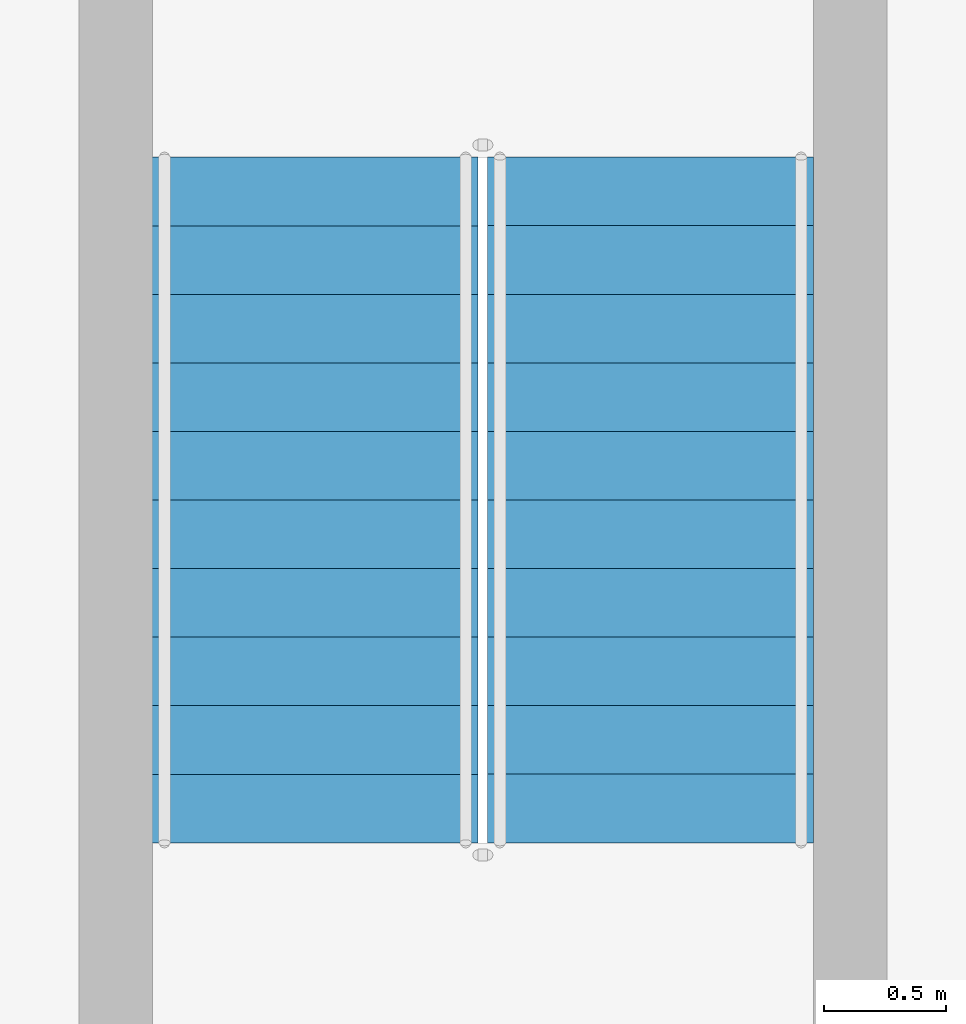
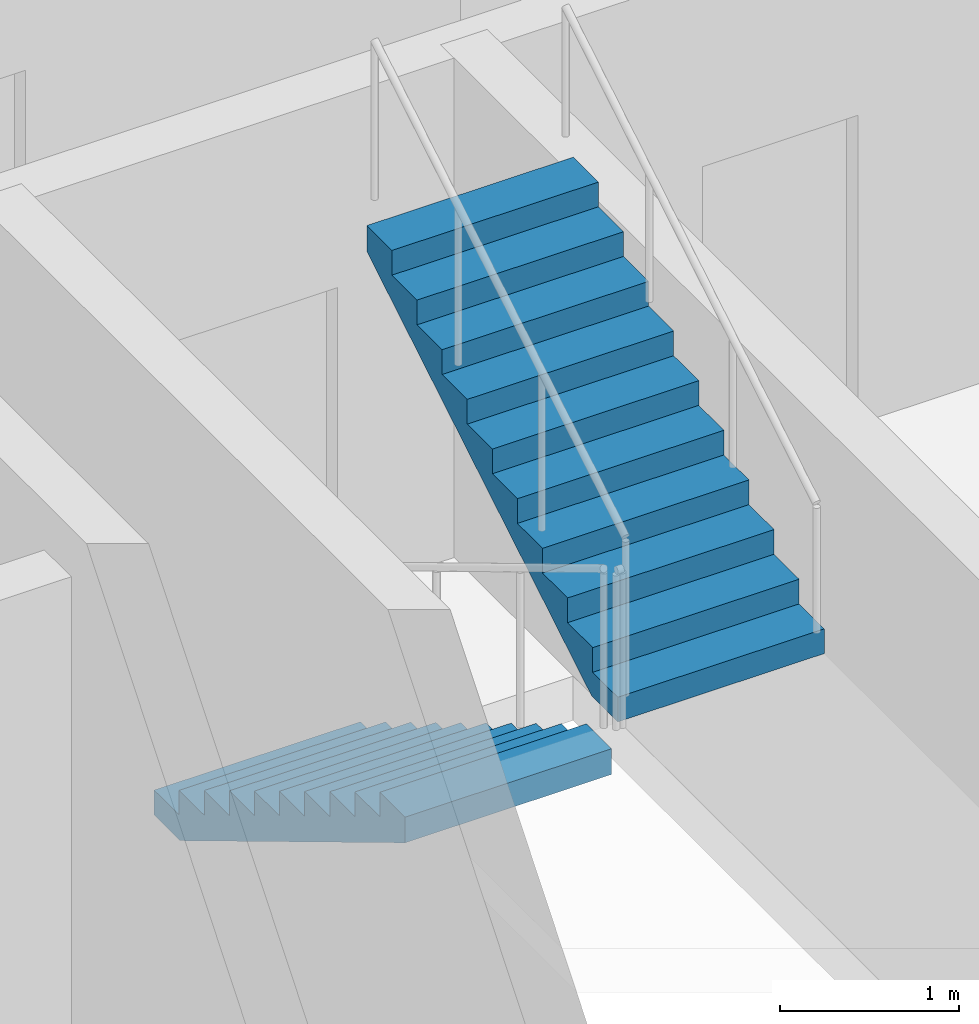
# One storey, part 15 of 22: 2 stair flights, 1 element without a shape of its own.
"""IFC4 building model written with IfcOpenShell, lengths in metres."""

from ifc_helpers import new_model, si_unit, direction, frame, origin, place, context, subcontext, project, spatial, triangles, source, transform, mapped, material, type_object, element, aggregate, save


model = new_model("IFC4")

# Units and contexts
model_context = context("Model", 3, precision=1e-05, world=origin(), true_north=direction((0.0, 1.0)))
body_context = subcontext(model_context, "Body", "Model", "MODEL_VIEW")
ifc_project = project(units=[si_unit("LENGTHUNIT", "METRE"), si_unit("AREAUNIT", "SQUARE_METRE"), si_unit("VOLUMEUNIT", "CUBIC_METRE"), si_unit("PLANEANGLEUNIT", "RADIAN"), si_unit("MASSUNIT", "GRAM", prefix="KILO")], contexts=[model_context])

# Site, building, storey
site_placement = place(None, origin())
site = spatial("IfcSite", under=ifc_project, at=site_placement, CompositionType="ELEMENT")
building_placement = place(site_placement, origin())
building = spatial("IfcBuilding", under=site, at=building_placement, Name="Ogive Portal Towers", CompositionType="ELEMENT")
storey_placement = place(building_placement, frame((0.0, 0.0, 113.0)))
storey = spatial("IfcBuildingStorey", under=building, at=storey_placement, Name="L27", CompositionType="ELEMENT", Elevation=113.0)

# Stair, stair flights
ifc_material = material(Name="Concrete C40/50", Category="concrete")
stair_type = type_object("IfcStairType", Name="INT-STAIR", PredefinedType="HALF_TURN_STAIR", material=ifc_material)
stair_placement = place(storey_placement, origin())
stair = element("IfcStair", 1, at=stair_placement, inside=storey, type_object=stair_type, Name="L27 Exit Stair ST-A4", PredefinedType="HALF_TURN_STAIR")
stair_flight_type = type_object("IfcStairFlightType", Name="INT-FLIGHT", PredefinedType="STRAIGHT", material=ifc_material)
shared_shape = source(origin(), body_context, "Body", "Tessellation", [
    triangles([(0.0, -0.6650390625, 0.0), (0.0, -0.384765625, 0.0), (0.0, -0.197021484375, 0.0), (0.0, -0.0830078125, 0.0), (0.0, -0.024658203125, 0.0), (0.0, -0.003173828125, 0.0), (0.0, 0.0, 0.0), (0.0, 0.003173828125, 0.0), (0.0, 0.024658203125, 0.0), (0.0, 0.0830078125, 0.0), (0.0, 0.197021484375, 0.0), (0.0, 0.384765625, 0.0), (0.0, 0.6650390625, 0.0), (0.0, -0.6650390625, 0.168212890625), (0.0, -0.384765625, 0.168212890625), (0.0, -0.197021484375, 0.168212890625), (0.0, -0.0830078125, 0.168212890625), (0.0, -0.024658203125, 0.168212890625), (0.0, -0.003173828125, 0.168212890625), (0.0, 0.0, 0.168212890625), (0.0, 0.003173828125, 0.168212890625), (0.0, 0.024658203125, 0.168212890625), (0.0, 0.0830078125, 0.168212890625), (0.0, 0.197021484375, 0.168212890625), (0.0, 0.384765625, 0.168212890625), (0.0, 0.6650390625, 0.168212890625), (0.280029296875, -0.6650390625, 0.168212890625), (0.280029296875, -0.384765625, 0.168212890625), (0.280029296875, -0.197021484375, 0.168212890625), (0.280029296875, -0.0830078125, 0.168212890625), (0.280029296875, -0.024658203125, 0.168212890625), (0.280029296875, -0.003173828125, 0.168212890625), (0.280029296875, 0.0, 0.168212890625), (0.280029296875, 0.003173828125, 0.168212890625), (0.280029296875, 0.024658203125, 0.168212890625), (0.280029296875, 0.0830078125, 0.168212890625), (0.280029296875, 0.197021484375, 0.168212890625), (0.280029296875, 0.384765625, 0.168212890625), (0.280029296875, 0.6650390625, 0.168212890625), (0.280029296875, -0.6650390625, 0.33642578125), (0.280029296875, -0.384765625, 0.33642578125), (0.280029296875, -0.197021484375, 0.33642578125), (0.280029296875, -0.0830078125, 0.33642578125), (0.280029296875, -0.024658203125, 0.33642578125), (0.280029296875, -0.003173828125, 0.33642578125), (0.280029296875, 0.0, 0.33642578125), (0.280029296875, 0.003173828125, 0.33642578125), (0.280029296875, 0.024658203125, 0.33642578125), (0.280029296875, 0.0830078125, 0.33642578125), (0.280029296875, 0.197021484375, 0.33642578125), (0.280029296875, 0.384765625, 0.33642578125), (0.280029296875, 0.6650390625, 0.33642578125), (0.56005859375, -0.6650390625, 0.33642578125), (0.56005859375, -0.384765625, 0.33642578125), (0.56005859375, -0.197021484375, 0.33642578125), (0.56005859375, -0.0830078125, 0.33642578125), (0.56005859375, -0.024658203125, 0.33642578125), (0.56005859375, -0.003173828125, 0.33642578125), (0.56005859375, 0.0, 0.33642578125), (0.56005859375, 0.003173828125, 0.33642578125), (0.56005859375, 0.024658203125, 0.33642578125), (0.56005859375, 0.0830078125, 0.33642578125), (0.56005859375, 0.197021484375, 0.33642578125), (0.56005859375, 0.384765625, 0.33642578125), (0.56005859375, 0.6650390625, 0.33642578125), (0.56005859375, -0.6650390625, 0.504638671875), (0.56005859375, -0.384765625, 0.504638671875), (0.56005859375, -0.197021484375, 0.504638671875), (0.56005859375, -0.0830078125, 0.504638671875), (0.56005859375, -0.024658203125, 0.504638671875), (0.56005859375, -0.003173828125, 0.504638671875), (0.56005859375, 0.0, 0.504638671875), (0.56005859375, 0.003173828125, 0.504638671875), (0.56005859375, 0.024658203125, 0.504638671875), (0.56005859375, 0.0830078125, 0.504638671875), (0.56005859375, 0.197021484375, 0.504638671875), (0.56005859375, 0.384765625, 0.504638671875), (0.56005859375, 0.6650390625, 0.504638671875), (0.840087890625, -0.6650390625, 0.504638671875), (0.840087890625, -0.384765625, 0.504638671875), (0.840087890625, -0.197021484375, 0.504638671875), (0.840087890625, -0.0830078125, 0.504638671875), (0.840087890625, -0.024658203125, 0.504638671875), (0.840087890625, -0.003173828125, 0.504638671875), (0.840087890625, 0.0, 0.504638671875), (0.840087890625, 0.003173828125, 0.504638671875), (0.840087890625, 0.024658203125, 0.504638671875), (0.840087890625, 0.0830078125, 0.504638671875), (0.840087890625, 0.197021484375, 0.504638671875), (0.840087890625, 0.384765625, 0.504638671875), (0.840087890625, 0.6650390625, 0.504638671875), (0.840087890625, -0.6650390625, 0.672607421875), (0.840087890625, -0.384765625, 0.672607421875), (0.840087890625, -0.197021484375, 0.672607421875), (0.840087890625, -0.0830078125, 0.672607421875), (0.840087890625, -0.024658203125, 0.672607421875), (0.840087890625, -0.003173828125, 0.672607421875), (0.840087890625, 0.0, 0.672607421875), (0.840087890625, 0.003173828125, 0.672607421875), (0.840087890625, 0.024658203125, 0.672607421875), (0.840087890625, 0.0830078125, 0.672607421875), (0.840087890625, 0.197021484375, 0.672607421875), (0.840087890625, 0.384765625, 0.672607421875), (0.840087890625, 0.6650390625, 0.672607421875), (1.1201171875, -0.6650390625, 0.672607421875), (1.1201171875, -0.384765625, 0.672607421875), (1.1201171875, -0.197021484375, 0.672607421875), (1.1201171875, -0.0830078125, 0.672607421875), (1.1201171875, -0.024658203125, 0.672607421875), (1.1201171875, -0.003173828125, 0.672607421875), (1.1201171875, 0.0, 0.672607421875), (1.1201171875, 0.003173828125, 0.672607421875), (1.1201171875, 0.024658203125, 0.672607421875), (1.1201171875, 0.0830078125, 0.672607421875), (1.1201171875, 0.197021484375, 0.672607421875), (1.1201171875, 0.384765625, 0.672607421875), (1.1201171875, 0.6650390625, 0.672607421875), (1.1201171875, -0.6650390625, 0.8408203125), (1.1201171875, -0.384765625, 0.8408203125), (1.1201171875, -0.197021484375, 0.8408203125), (1.1201171875, -0.0830078125, 0.8408203125), (1.1201171875, -0.024658203125, 0.8408203125), (1.1201171875, -0.003173828125, 0.8408203125), (1.1201171875, 0.0, 0.8408203125), (1.1201171875, 0.003173828125, 0.8408203125), (1.1201171875, 0.024658203125, 0.8408203125), (1.1201171875, 0.0830078125, 0.8408203125), (1.1201171875, 0.197021484375, 0.8408203125), (1.1201171875, 0.384765625, 0.8408203125), (1.1201171875, 0.6650390625, 0.8408203125), (1.39990234375, -0.6650390625, 0.8408203125), (1.39990234375, -0.384765625, 0.8408203125), (1.39990234375, -0.197021484375, 0.8408203125), (1.39990234375, -0.0830078125, 0.8408203125), (1.39990234375, -0.024658203125, 0.8408203125), (1.39990234375, -0.003173828125, 0.8408203125), (1.39990234375, 0.0, 0.8408203125), (1.39990234375, 0.003173828125, 0.8408203125), (1.39990234375, 0.024658203125, 0.8408203125), (1.39990234375, 0.0830078125, 0.8408203125), (1.39990234375, 0.197021484375, 0.8408203125), (1.39990234375, 0.384765625, 0.8408203125), (1.39990234375, 0.6650390625, 0.8408203125), (1.39990234375, -0.6650390625, 1.009033203125), (1.39990234375, -0.384765625, 1.009033203125), (1.39990234375, -0.197021484375, 1.009033203125), (1.39990234375, -0.0830078125, 1.009033203125), (1.39990234375, -0.024658203125, 1.009033203125), (1.39990234375, -0.003173828125, 1.009033203125), (1.39990234375, 0.0, 1.009033203125), (1.39990234375, 0.003173828125, 1.009033203125), (1.39990234375, 0.024658203125, 1.009033203125), (1.39990234375, 0.0830078125, 1.009033203125), (1.39990234375, 0.197021484375, 1.009033203125), (1.39990234375, 0.384765625, 1.009033203125), (1.39990234375, 0.6650390625, 1.009033203125), (1.679931640625, -0.6650390625, 1.009033203125), (1.679931640625, -0.384765625, 1.009033203125), (1.679931640625, -0.197021484375, 1.009033203125), (1.679931640625, -0.0830078125, 1.009033203125), (1.679931640625, -0.024658203125, 1.009033203125), (1.679931640625, -0.003173828125, 1.009033203125), (1.679931640625, 0.0, 1.009033203125), (1.679931640625, 0.003173828125, 1.009033203125), (1.679931640625, 0.024658203125, 1.009033203125), (1.679931640625, 0.0830078125, 1.009033203125), (1.679931640625, 0.197021484375, 1.009033203125), (1.679931640625, 0.384765625, 1.009033203125), (1.679931640625, 0.6650390625, 1.009033203125), (1.679931640625, -0.6650390625, 1.17724609375), (1.679931640625, -0.384765625, 1.17724609375), (1.679931640625, -0.197021484375, 1.17724609375), (1.679931640625, -0.0830078125, 1.17724609375), (1.679931640625, -0.024658203125, 1.17724609375), (1.679931640625, -0.003173828125, 1.17724609375), (1.679931640625, 0.0, 1.17724609375), (1.679931640625, 0.003173828125, 1.17724609375), (1.679931640625, 0.024658203125, 1.17724609375), (1.679931640625, 0.0830078125, 1.17724609375), (1.679931640625, 0.197021484375, 1.17724609375), (1.679931640625, 0.384765625, 1.17724609375), (1.679931640625, 0.6650390625, 1.17724609375), (1.9599609375, -0.6650390625, 1.17724609375), (1.9599609375, -0.384765625, 1.17724609375), (1.9599609375, -0.197021484375, 1.17724609375), (1.9599609375, -0.0830078125, 1.17724609375), (1.9599609375, -0.024658203125, 1.17724609375), (1.9599609375, -0.003173828125, 1.17724609375), (1.9599609375, 0.0, 1.17724609375), (1.9599609375, 0.003173828125, 1.17724609375), (1.9599609375, 0.024658203125, 1.17724609375), (1.9599609375, 0.0830078125, 1.17724609375), (1.9599609375, 0.197021484375, 1.17724609375), (1.9599609375, 0.384765625, 1.17724609375), (1.9599609375, 0.6650390625, 1.17724609375), (1.9599609375, -0.6650390625, 1.345458984375), (1.9599609375, -0.384765625, 1.345458984375), (1.9599609375, -0.197021484375, 1.345458984375), (1.9599609375, -0.0830078125, 1.345458984375), (1.9599609375, -0.024658203125, 1.345458984375), (1.9599609375, -0.003173828125, 1.345458984375), (1.9599609375, 0.0, 1.345458984375), (1.9599609375, 0.003173828125, 1.345458984375), (1.9599609375, 0.024658203125, 1.345458984375), (1.9599609375, 0.0830078125, 1.345458984375), (1.9599609375, 0.197021484375, 1.345458984375), (1.9599609375, 0.384765625, 1.345458984375), (1.9599609375, 0.6650390625, 1.345458984375), (2.239990234375, -0.6650390625, 1.345458984375), (2.239990234375, -0.384765625, 1.345458984375), (2.239990234375, -0.197021484375, 1.345458984375), (2.239990234375, -0.0830078125, 1.345458984375), (2.239990234375, -0.024658203125, 1.345458984375), (2.239990234375, -0.003173828125, 1.345458984375), (2.239990234375, 0.0, 1.345458984375), (2.239990234375, 0.003173828125, 1.345458984375), (2.239990234375, 0.024658203125, 1.345458984375), (2.239990234375, 0.0830078125, 1.345458984375), (2.239990234375, 0.197021484375, 1.345458984375), (2.239990234375, 0.384765625, 1.345458984375), (2.239990234375, 0.6650390625, 1.345458984375), (2.239990234375, -0.6650390625, 1.513671875), (2.239990234375, -0.384765625, 1.513671875), (2.239990234375, -0.197021484375, 1.513671875), (2.239990234375, -0.0830078125, 1.513671875), (2.239990234375, -0.024658203125, 1.513671875), (2.239990234375, -0.003173828125, 1.513671875), (2.239990234375, 0.0, 1.513671875), (2.239990234375, 0.003173828125, 1.513671875), (2.239990234375, 0.024658203125, 1.513671875), (2.239990234375, 0.0830078125, 1.513671875), (2.239990234375, 0.197021484375, 1.513671875), (2.239990234375, 0.384765625, 1.513671875), (2.239990234375, 0.6650390625, 1.513671875), (2.52001953125, -0.6650390625, 1.513671875), (2.52001953125, -0.384765625, 1.513671875), (2.52001953125, -0.197021484375, 1.513671875), (2.52001953125, -0.0830078125, 1.513671875), (2.52001953125, -0.024658203125, 1.513671875), (2.52001953125, -0.003173828125, 1.513671875), (2.52001953125, 0.0, 1.513671875), (2.52001953125, 0.003173828125, 1.513671875), (2.52001953125, 0.024658203125, 1.513671875), (2.52001953125, 0.0830078125, 1.513671875), (2.52001953125, 0.197021484375, 1.513671875), (2.52001953125, 0.384765625, 1.513671875), (2.52001953125, 0.6650390625, 1.513671875), (2.52001953125, -0.6650390625, 1.681884765625), (2.52001953125, -0.384765625, 1.681884765625), (2.52001953125, -0.197021484375, 1.681884765625), (2.52001953125, -0.0830078125, 1.681884765625), (2.52001953125, -0.024658203125, 1.681884765625), (2.52001953125, -0.003173828125, 1.681884765625), (2.52001953125, 0.0, 1.681884765625), (2.52001953125, 0.003173828125, 1.681884765625), (2.52001953125, 0.024658203125, 1.681884765625), (2.52001953125, 0.0830078125, 1.681884765625), (2.52001953125, 0.197021484375, 1.681884765625), (2.52001953125, 0.384765625, 1.681884765625), (2.52001953125, 0.6650390625, 1.681884765625), (2.800048828125, -0.6650390625, 1.681884765625), (2.800048828125, -0.384765625, 1.681884765625), (2.800048828125, -0.197021484375, 1.681884765625), (2.800048828125, -0.0830078125, 1.681884765625), (2.800048828125, -0.024658203125, 1.681884765625), (2.800048828125, -0.003173828125, 1.681884765625), (2.800048828125, 0.0, 1.681884765625), (2.800048828125, 0.003173828125, 1.681884765625), (2.800048828125, 0.024658203125, 1.681884765625), (2.800048828125, 0.0830078125, 1.681884765625), (2.800048828125, 0.197021484375, 1.681884765625), (2.800048828125, 0.384765625, 1.681884765625), (2.800048828125, 0.6650390625, 1.681884765625), (2.800048828125, -0.6650390625, 1.5068359375), (2.800048828125, -0.384765625, 1.5068359375), (2.800048828125, -0.197021484375, 1.5068359375), (2.800048828125, -0.0830078125, 1.5068359375), (2.800048828125, -0.024658203125, 1.5068359375), (2.800048828125, -0.003173828125, 1.5068359375), (2.800048828125, 0.0, 1.5068359375), (2.800048828125, 0.003173828125, 1.5068359375), (2.800048828125, 0.024658203125, 1.5068359375), (2.800048828125, 0.0830078125, 1.5068359375), (2.800048828125, 0.197021484375, 1.5068359375), (2.800048828125, 0.384765625, 1.5068359375), (2.800048828125, 0.6650390625, 1.5068359375), (0.291015625, -0.6650390625, 0.0), (0.291015625, -0.384765625, 0.0), (0.291015625, -0.197021484375, 0.0), (0.291015625, -0.0830078125, 0.0), (0.291015625, -0.024658203125, 0.0), (0.291015625, -0.003173828125, 0.0), (0.291015625, 0.0, 0.0), (0.291015625, 0.003173828125, 0.0), (0.291015625, 0.024658203125, 0.0), (0.291015625, 0.0830078125, 0.0), (0.291015625, 0.197021484375, 0.0), (0.291015625, 0.384765625, 0.0), (0.291015625, 0.6650390625, 0.0)], [[1, 14, 15], [1, 15, 2], [2, 15, 16], [2, 16, 3], [3, 16, 17], [3, 17, 4], [4, 17, 18], [4, 18, 5], [5, 18, 19], [5, 19, 6], [6, 19, 20], [6, 20, 7], [7, 20, 21], [7, 21, 8], [8, 21, 22], [8, 22, 9], [9, 22, 23], [9, 23, 10], [10, 23, 24], [10, 24, 11], [11, 24, 25], [11, 25, 12], [12, 25, 26], [12, 26, 13], [14, 27, 28], [14, 28, 15], [15, 28, 29], [15, 29, 16], [16, 29, 30], [16, 30, 17], [17, 30, 31], [17, 31, 18], [18, 31, 32], [18, 32, 19], [19, 32, 33], [19, 33, 20], [20, 33, 34], [20, 34, 21], [21, 34, 35], [21, 35, 22], [22, 35, 36], [22, 36, 23], [23, 36, 37], [23, 37, 24], [24, 37, 38], [24, 38, 25], [25, 38, 39], [25, 39, 26], [27, 40, 41], [27, 41, 28], [28, 41, 42], [28, 42, 29], [29, 42, 43], [29, 43, 30], [30, 43, 44], [30, 44, 31], [31, 44, 45], [31, 45, 32], [32, 45, 46], [32, 46, 33], [33, 46, 47], [33, 47, 34], [34, 47, 48], [34, 48, 35], [35, 48, 49], [35, 49, 36], [36, 49, 50], [36, 50, 37], [37, 50, 51], [37, 51, 38], [38, 51, 52], [38, 52, 39], [40, 53, 54], [40, 54, 41], [41, 54, 55], [41, 55, 42], [42, 55, 56], [42, 56, 43], [43, 56, 57], [43, 57, 44], [44, 57, 58], [44, 58, 45], [45, 58, 59], [45, 59, 46], [46, 59, 60], [46, 60, 47], [47, 60, 61], [47, 61, 48], [48, 61, 62], [48, 62, 49], [49, 62, 63], [49, 63, 50], [50, 63, 64], [50, 64, 51], [51, 64, 65], [51, 65, 52], [53, 66, 67], [53, 67, 54], [54, 67, 68], [54, 68, 55], [55, 68, 69], [55, 69, 56], [56, 69, 70], [56, 70, 57], [57, 70, 71], [57, 71, 58], [58, 71, 72], [58, 72, 59], [59, 72, 73], [59, 73, 60], [60, 73, 74], [60, 74, 61], [61, 74, 75], [61, 75, 62], [62, 75, 76], [62, 76, 63], [63, 76, 77], [63, 77, 64], [64, 77, 78], [64, 78, 65], [66, 79, 80], [66, 80, 67], [67, 80, 81], [67, 81, 68], [68, 81, 82], [68, 82, 69], [69, 82, 83], [69, 83, 70], [70, 83, 84], [70, 84, 71], [71, 84, 85], [71, 85, 72], [72, 85, 86], [72, 86, 73], [73, 86, 87], [73, 87, 74], [74, 87, 88], [74, 88, 75], [75, 88, 89], [75, 89, 76], [76, 89, 90], [76, 90, 77], [77, 90, 91], [77, 91, 78], [79, 92, 93], [79, 93, 80], [80, 93, 94], [80, 94, 81], [81, 94, 95], [81, 95, 82], [82, 95, 96], [82, 96, 83], [83, 96, 97], [83, 97, 84], [84, 97, 98], [84, 98, 85], [85, 98, 99], [85, 99, 86], [86, 99, 100], [86, 100, 87], [87, 100, 101], [87, 101, 88], [88, 101, 102], [88, 102, 89], [89, 102, 103], [89, 103, 90], [90, 103, 104], [90, 104, 91], [92, 105, 106], [92, 106, 93], [93, 106, 107], [93, 107, 94], [94, 107, 108], [94, 108, 95], [95, 108, 109], [95, 109, 96], [96, 109, 110], [96, 110, 97], [97, 110, 111], [97, 111, 98], [98, 111, 112], [98, 112, 99], [99, 112, 113], [99, 113, 100], [100, 113, 114], [100, 114, 101], [101, 114, 115], [101, 115, 102], [102, 115, 116], [102, 116, 103], [103, 116, 117], [103, 117, 104], [105, 118, 119], [105, 119, 106], [106, 119, 120], [106, 120, 107], [107, 120, 121], [107, 121, 108], [108, 121, 122], [108, 122, 109], [109, 122, 123], [109, 123, 110], [110, 123, 124], [110, 124, 111], [111, 124, 125], [111, 125, 112], [112, 125, 126], [112, 126, 113], [113, 126, 127], [113, 127, 114], [114, 127, 128], [114, 128, 115], [115, 128, 129], [115, 129, 116], [116, 129, 130], [116, 130, 117], [118, 131, 132], [118, 132, 119], [119, 132, 133], [119, 133, 120], [120, 133, 134], [120, 134, 121], [121, 134, 135], [121, 135, 122], [122, 135, 136], [122, 136, 123], [123, 136, 137], [123, 137, 124], [124, 137, 138], [124, 138, 125], [125, 138, 139], [125, 139, 126], [126, 139, 140], [126, 140, 127], [127, 140, 141], [127, 141, 128], [128, 141, 142], [128, 142, 129], [129, 142, 143], [129, 143, 130], [131, 144, 145], [131, 145, 132], [132, 145, 146], [132, 146, 133], [133, 146, 147], [133, 147, 134], [134, 147, 148], [134, 148, 135], [135, 148, 149], [135, 149, 136], [136, 149, 150], [136, 150, 137], [137, 150, 151], [137, 151, 138], [138, 151, 152], [138, 152, 139], [139, 152, 153], [139, 153, 140], [140, 153, 154], [140, 154, 141], [141, 154, 155], [141, 155, 142], [142, 155, 156], [142, 156, 143], [144, 157, 158], [144, 158, 145], [145, 158, 159], [145, 159, 146], [146, 159, 160], [146, 160, 147], [147, 160, 161], [147, 161, 148], [148, 161, 162], [148, 162, 149], [149, 162, 163], [149, 163, 150], [150, 163, 164], [150, 164, 151], [151, 164, 165], [151, 165, 152], [152, 165, 166], [152, 166, 153], [153, 166, 167], [153, 167, 154], [154, 167, 168], [154, 168, 155], [155, 168, 169], [155, 169, 156], [157, 170, 171], [157, 171, 158], [158, 171, 172], [158, 172, 159], [159, 172, 173], [159, 173, 160], [160, 173, 174], [160, 174, 161], [161, 174, 175], [161, 175, 162], [162, 175, 176], [162, 176, 163], [163, 176, 177], [163, 177, 164], [164, 177, 178], [164, 178, 165], [165, 178, 179], [165, 179, 166], [166, 179, 180], [166, 180, 167], [167, 180, 181], [167, 181, 168], [168, 181, 182], [168, 182, 169], [170, 183, 184], [170, 184, 171], [171, 184, 185], [171, 185, 172], [172, 185, 186], [172, 186, 173], [173, 186, 187], [173, 187, 174], [174, 187, 188], [174, 188, 175], [175, 188, 189], [175, 189, 176], [176, 189, 190], [176, 190, 177], [177, 190, 191], [177, 191, 178], [178, 191, 192], [178, 192, 179], [179, 192, 193], [179, 193, 180], [180, 193, 194], [180, 194, 181], [181, 194, 195], [181, 195, 182], [183, 196, 197], [183, 197, 184], [184, 197, 198], [184, 198, 185], [185, 198, 199], [185, 199, 186], [186, 199, 200], [186, 200, 187], [187, 200, 201], [187, 201, 188], [188, 201, 202], [188, 202, 189], [189, 202, 203], [189, 203, 190], [190, 203, 204], [190, 204, 191], [191, 204, 205], [191, 205, 192], [192, 205, 206], [192, 206, 193], [193, 206, 207], [193, 207, 194], [194, 207, 208], [194, 208, 195], [196, 209, 210], [196, 210, 197], [197, 210, 211], [197, 211, 198], [198, 211, 212], [198, 212, 199], [199, 212, 213], [199, 213, 200], [200, 213, 214], [200, 214, 201], [201, 214, 215], [201, 215, 202], [202, 215, 216], [202, 216, 203], [203, 216, 217], [203, 217, 204], [204, 217, 218], [204, 218, 205], [205, 218, 219], [205, 219, 206], [206, 219, 220], [206, 220, 207], [207, 220, 221], [207, 221, 208], [209, 222, 223], [209, 223, 210], [210, 223, 224], [210, 224, 211], [211, 224, 225], [211, 225, 212], [212, 225, 226], [212, 226, 213], [213, 226, 227], [213, 227, 214], [214, 227, 228], [214, 228, 215], [215, 228, 229], [215, 229, 216], [216, 229, 230], [216, 230, 217], [217, 230, 231], [217, 231, 218], [218, 231, 232], [218, 232, 219], [219, 232, 233], [219, 233, 220], [220, 233, 234], [220, 234, 221], [222, 235, 236], [222, 236, 223], [223, 236, 237], [223, 237, 224], [224, 237, 238], [224, 238, 225], [225, 238, 239], [225, 239, 226], [226, 239, 240], [226, 240, 227], [227, 240, 241], [227, 241, 228], [228, 241, 242], [228, 242, 229], [229, 242, 243], [229, 243, 230], [230, 243, 244], [230, 244, 231], [231, 244, 245], [231, 245, 232], [232, 245, 246], [232, 246, 233], [233, 246, 247], [233, 247, 234], [235, 248, 249], [235, 249, 236], [236, 249, 250], [236, 250, 237], [237, 250, 251], [237, 251, 238], [238, 251, 252], [238, 252, 239], [239, 252, 253], [239, 253, 240], [240, 253, 254], [240, 254, 241], [241, 254, 255], [241, 255, 242], [242, 255, 256], [242, 256, 243], [243, 256, 257], [243, 257, 244], [244, 257, 258], [244, 258, 245], [245, 258, 259], [245, 259, 246], [246, 259, 260], [246, 260, 247], [248, 261, 262], [248, 262, 249], [249, 262, 263], [249, 263, 250], [250, 263, 264], [250, 264, 251], [251, 264, 265], [251, 265, 252], [252, 265, 266], [252, 266, 253], [253, 266, 267], [253, 267, 254], [254, 267, 268], [254, 268, 255], [255, 268, 269], [255, 269, 256], [256, 269, 270], [256, 270, 257], [257, 270, 271], [257, 271, 258], [258, 271, 272], [258, 272, 259], [259, 272, 273], [259, 273, 260], [261, 274, 275], [261, 275, 262], [262, 275, 276], [262, 276, 263], [263, 276, 277], [263, 277, 264], [264, 277, 278], [264, 278, 265], [265, 278, 279], [265, 279, 266], [266, 279, 280], [266, 280, 267], [267, 280, 281], [267, 281, 268], [268, 281, 282], [268, 282, 269], [269, 282, 283], [269, 283, 270], [270, 283, 284], [270, 284, 271], [271, 284, 285], [271, 285, 272], [272, 285, 286], [272, 286, 273], [274, 287, 288], [274, 288, 275], [275, 288, 289], [275, 289, 276], [276, 289, 290], [276, 290, 277], [277, 290, 291], [277, 291, 278], [278, 291, 292], [278, 292, 279], [279, 292, 293], [279, 293, 280], [280, 293, 294], [280, 294, 281], [281, 294, 295], [281, 295, 282], [282, 295, 296], [282, 296, 283], [283, 296, 297], [283, 297, 284], [284, 297, 298], [284, 298, 285], [285, 298, 299], [285, 299, 286], [287, 1, 2], [287, 2, 288], [288, 2, 3], [288, 3, 289], [289, 3, 4], [289, 4, 290], [290, 4, 5], [290, 5, 291], [291, 5, 6], [291, 6, 292], [292, 6, 7], [292, 7, 293], [293, 7, 8], [293, 8, 294], [294, 8, 9], [294, 9, 295], [295, 9, 10], [295, 10, 296], [296, 10, 11], [296, 11, 297], [297, 11, 12], [297, 12, 298], [298, 12, 13], [298, 13, 299], [1, 287, 274], [13, 286, 299], [274, 261, 248], [286, 260, 273], [274, 248, 235], [286, 247, 260], [274, 235, 222], [286, 234, 247], [274, 222, 209], [286, 221, 234], [209, 196, 183], [221, 195, 208], [274, 209, 183], [286, 195, 221], [183, 170, 157], [195, 169, 182], [274, 183, 157], [286, 169, 195], [157, 144, 131], [169, 143, 156], [274, 157, 131], [286, 143, 169], [131, 118, 105], [143, 117, 130], [274, 131, 105], [286, 117, 143], [1, 274, 105], [13, 117, 286], [105, 92, 79], [117, 91, 104], [79, 66, 53], [91, 65, 78], [105, 79, 53], [117, 65, 91], [53, 40, 27], [65, 39, 52], [105, 53, 27], [117, 39, 65], [1, 105, 27], [13, 39, 117], [27, 14, 1], [39, 13, 26]], closed=True),
])
stair_flight_1_placement = place(storey_placement, frame((87.6650390625, 29.169921875, 0.0), z_axis=(0.0, 0.0, 1.0), x_axis=(0.0, -1.0, 0.0)))
stair_flight_1 = element("IfcStairFlight", 2, at=stair_flight_1_placement, type_object=stair_flight_type, Name="ST-A4 flight 1", NumberOfRisers=11, NumberOfTreads=10, PredefinedType="STRAIGHT", RiserHeight=0.168181818, TreadLength=0.28, context=body_context, shape_type="MappedRepresentation", body=[
    mapped(shared_shape, transform((0.0, 0.0, 0.0), scale=1.0)),
])
stair_flight_2_placement = place(storey_placement, frame((89.034912109375, 26.3701171875, 1.85009765625), z_axis=(0.0, 0.0, 1.0), x_axis=(0.0, 1.0, 0.0)))
stair_flight_2 = element("IfcStairFlight", 3, at=stair_flight_2_placement, type_object=stair_flight_type, Name="ST-A4 flight 2", NumberOfRisers=11, NumberOfTreads=10, PredefinedType="STRAIGHT", RiserHeight=0.168181818, TreadLength=0.28, context=body_context, shape_type="MappedRepresentation", body=[
    mapped(shared_shape, transform((0.0, 0.0, 0.0), scale=1.0)),
])
aggregate(stair, [stair_flight_1, stair_flight_2])

save(model, "model.ifc")
